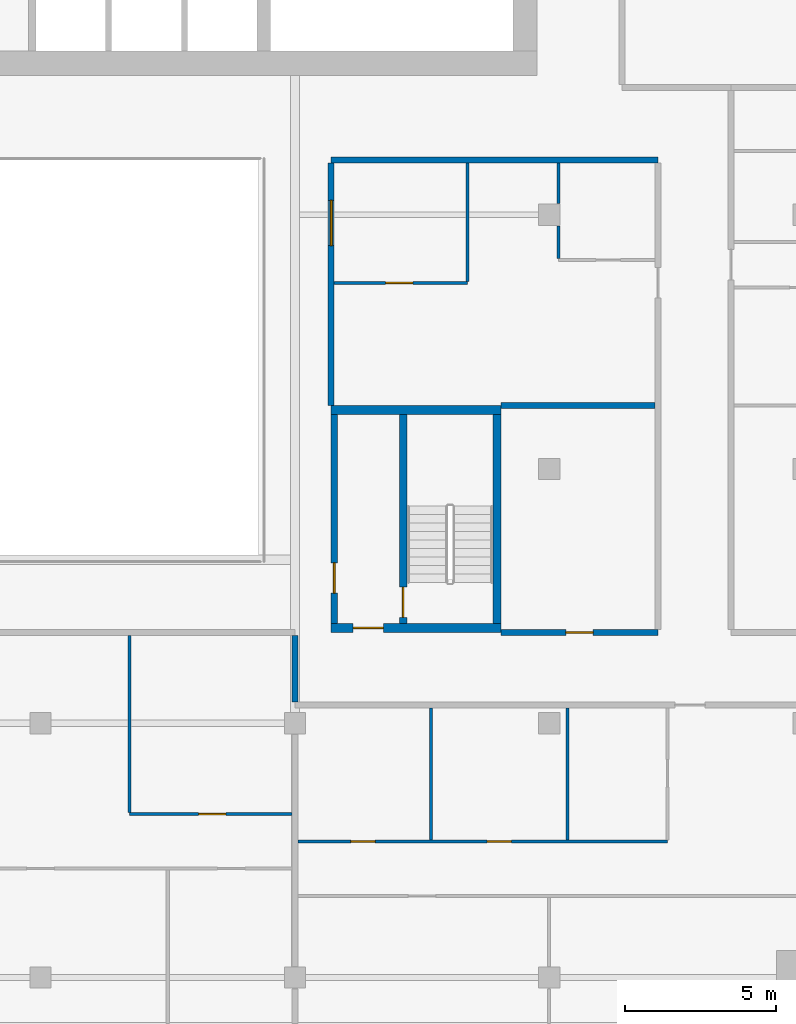
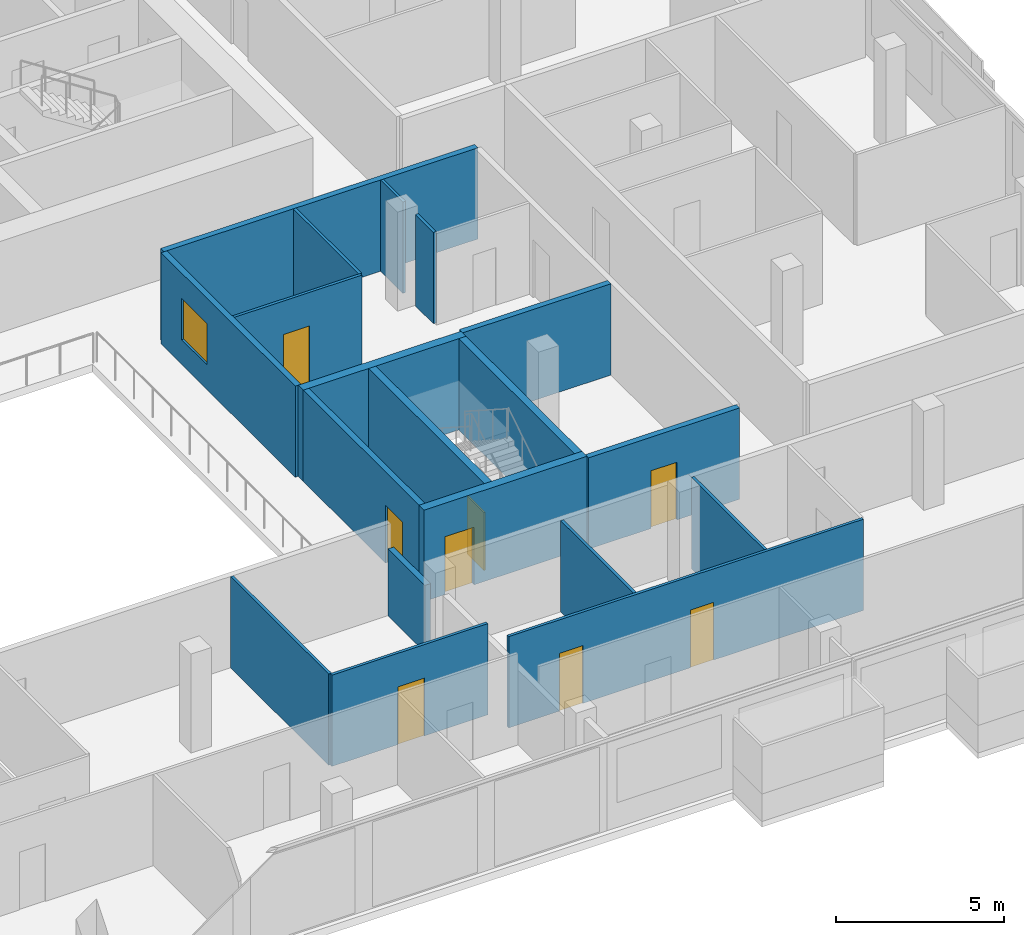
# One storey, part 20 of 30: 19 walls, 8 doors, 1 window, 9 openings.
"""IFC4 building model written with IfcOpenShell, lengths in metres."""

import ifcopenshell
import ifcopenshell.guid

model = None  # the IFC model being written
_history = None  # IfcOwnerHistory: only IFC2X3 demands one
_inside = {}  # id of a spatial element -> (the spatial element, [elements in it])
_under = {}  # id of a project, library or spatial element -> (it, [spatial elements below it])
_declared = {}  # id of a project -> (the project, [libraries it declares])
_typed = {}  # id of a type object -> (the type object, [elements of that type])
_made_of = {}  # id of a material, layer set ... -> (it, [elements and type objects made of it])


def new_model(schema):
    """Start an empty IFC model of exactly this schema.

    Asked for "IFC4X3", IfcOpenShell would pick the latest addendum, in which some entities
    have other attributes; the version numbers below select the first issue.
    IFC2X3 requires an IfcOwnerHistory on every rooted entity: one is made here for all.
    """
    global model, _history
    if schema == "IFC4X3":
        model = ifcopenshell.file(schema_version=(4, 3, 0, 0))
    else:
        model = ifcopenshell.file(schema=schema)
    _inside.clear()
    _under.clear()
    _declared.clear()
    _typed.clear()
    _made_of.clear()
    _history = None
    if model.schema == "IFC2X3":
        org = make("IfcOrganization", Name="unknown")
        user = make(
            "IfcPersonAndOrganization",
            ThePerson=make("IfcPerson", FamilyName="unknown"),
            TheOrganization=org,
        )
        app = make(
            "IfcApplication",
            ApplicationDeveloper=org,
            Version="unknown",
            ApplicationFullName="unknown",
            ApplicationIdentifier="unknown",
        )
        _history = make(
            "IfcOwnerHistory",
            OwningUser=user,
            OwningApplication=app,
            ChangeAction="ADDED",
            CreationDate=0,
        )
    return model


def make(cls, **values):
    """One entity of the class cls with the attributes given. An attribute that is None is left unset."""
    return model.create_entity(
        cls, **{name: value for name, value in values.items() if value is not None}
    )


def rooted(cls, **values):
    """An entity with a GlobalId (a new one), such as an element, a storey or a relation."""
    return make(cls, GlobalId=ifcopenshell.guid.new(), OwnerHistory=_history, **values)


def si_unit(unit_type, name, prefix=None):
    """IfcSIUnit, for example si_unit("LENGTHUNIT", "METRE", prefix="MILLI")."""
    return make("IfcSIUnit", UnitType=unit_type, Prefix=prefix, Name=name)


def assignment(units):
    """IfcUnitAssignment: the units of a project."""
    return None if units is None else make("IfcUnitAssignment", Units=units)


def point(xyz):
    """IfcCartesianPoint."""
    return None if xyz is None else make("IfcCartesianPoint", Coordinates=xyz)


def direction(xyz):
    """IfcDirection."""
    return None if xyz is None else make("IfcDirection", DirectionRatios=xyz)


def frame(location, z_axis=None, x_axis=None):
    """IfcAxis2Placement3D, a coordinate frame: its origin and axes. An axis left out is left unset."""
    return make(
        "IfcAxis2Placement3D",
        Location=point(location),
        Axis=direction(z_axis),
        RefDirection=direction(x_axis),
    )


def frame_2d(location, x_axis=None):
    """IfcAxis2Placement2D, a coordinate frame in the plane: its origin and x axis."""
    return make(
        "IfcAxis2Placement2D", Location=point(location), RefDirection=direction(x_axis)
    )


def origin():
    """The frame at (0, 0, 0) with its axes left unset."""
    return frame((0.0, 0.0, 0.0))


def place(relative_to, where):
    """IfcLocalPlacement: puts the frame where relative to a parent placement (None: the world)."""
    return make(
        "IfcLocalPlacement", PlacementRelTo=relative_to, RelativePlacement=where
    )


def context(
    kind, dimensions, precision=None, world=None, true_north=None, identifier=None
):
    """IfcGeometricRepresentationContext, for example the 3D "Model" context."""
    return make(
        "IfcGeometricRepresentationContext",
        ContextIdentifier=identifier,
        ContextType=kind,
        CoordinateSpaceDimension=dimensions,
        Precision=precision,
        WorldCoordinateSystem=world,
        TrueNorth=true_north,
    )


def subcontext(parent, identifier, kind, view, scale=None):
    """IfcGeometricRepresentationSubContext, for example "Body" below "Model"."""
    return make(
        "IfcGeometricRepresentationSubContext",
        ContextIdentifier=identifier,
        ContextType=kind,
        ParentContext=parent,
        TargetScale=scale,
        TargetView=view,
    )


def project(units=None, contexts=None):
    """IfcProject with its units and contexts."""
    return rooted(
        "IfcProject",
        Name="project",
        RepresentationContexts=contexts,
        UnitsInContext=assignment(units),
    )


def spatial(cls, under=None, at=None, **own):
    """A site, building, storey or space (cls), placed at a placement, below another one or the project."""
    s = rooted(cls, ObjectPlacement=at, **own)
    if under is not None:
        _under.setdefault(under.id(), (under, []))[1].append(s)
    return s


def profile(cls, at=None, kind="AREA", **sizes):
    """A parametric profile (cls). Its sizes go by their IFC names, for example OverallWidth=200.0."""
    return make(cls, ProfileType=kind, Position=at, **sizes)


def rectangle(**sizes):
    """IfcRectangleProfileDef."""
    return profile("IfcRectangleProfileDef", **sizes)


def extrude(swept, where, along, depth):
    """IfcExtrudedAreaSolid: the profile swept, set in the frame where, extruded along a direction by depth."""
    return make(
        "IfcExtrudedAreaSolid",
        SweptArea=swept,
        Position=where,
        ExtrudedDirection=direction(along),
        Depth=depth,
    )


def shape(context_of_items, identifier, shape_type, items):
    """IfcShapeRepresentation: the items that make up one representation, for example the "Body"."""
    return make(
        "IfcShapeRepresentation",
        ContextOfItems=context_of_items,
        RepresentationIdentifier=identifier,
        RepresentationType=shape_type,
        Items=items,
    )


def material(Name=None, Category=None):
    """IfcMaterial."""
    return make("IfcMaterial", Name=Name, Category=Category)


def layer(
    of_material, thickness, ventilated=None, Name=None, Category=None, Priority=None
):
    """IfcMaterialLayer: one layer of a wall or slab, of a material (None: an air gap)."""
    return make(
        "IfcMaterialLayer",
        Material=of_material,
        LayerThickness=thickness,
        IsVentilated=ventilated,
        Name=Name,
        Category=Category,
        Priority=Priority,
    )


def layer_set(layers, Name=None):
    """IfcMaterialLayerSet."""
    return make("IfcMaterialLayerSet", MaterialLayers=layers, LayerSetName=Name)


def made_of(thing, what):
    """Note that an element or type object is made of a material, layer set ...; save() writes the relation."""
    if what is not None:
        _made_of.setdefault(what.id(), (what, []))[1].append(thing)
    return thing


def type_object(cls, material=None, **own):
    """A type object (cls), such as IfcWallType, which elements share."""
    return made_of(rooted(cls, **own), material)


def element(
    cls,
    number,
    at=None,
    inside=None,
    cuts=None,
    type_object=None,
    material=None,
    context=None,
    identifier="Body",
    shape_type=None,
    held_by="IfcProductDefinitionShape",
    body=None,
    shapes=None,
    **own,
):
    """One element of the class cls, such as IfcWall. Its Tag is "e" and its number.

    at: its placement. inside: the storey or other place that contains it. cuts: it is an
    opening in that element (IfcRelVoidsElement). A single representation is given by context,
    identifier, shape_type and body (its items); several are given by shapes. held_by: the class
    of the entity that holds the representations. save() writes the other relations.
    """
    e = rooted(cls, Tag="e%d" % number, ObjectPlacement=at, **own)
    if body is not None:
        shapes = [shape(context, identifier, shape_type, body)]
    if shapes is not None:
        e.Representation = make(held_by, Representations=shapes)
    if inside is not None:
        _inside.setdefault(inside.id(), (inside, []))[1].append(e)
    if cuts is not None:
        rooted(
            "IfcRelVoidsElement", RelatingBuildingElement=cuts, RelatedOpeningElement=e
        )
    if type_object is not None:
        _typed.setdefault(type_object.id(), (type_object, []))[1].append(e)
    return made_of(e, material)


def fill(opening, filler):
    """IfcRelFillsElement: the door or window that sits in an opening."""
    return rooted(
        "IfcRelFillsElement",
        RelatingOpeningElement=opening,
        RelatedBuildingElement=filler,
    )


def aggregate(whole, parts):
    """IfcRelAggregates: a whole, such as a stair, and the parts it consists of."""
    return rooted("IfcRelAggregates", RelatingObject=whole, RelatedObjects=parts)


def save(model, path):
    """Write the relations noted so far, then the file.

    IfcRelAggregates (storeys below a building ...), IfcRelContainedInSpatialStructure (elements
    in a storey), IfcRelDefinesByType, IfcRelAssociatesMaterial and IfcRelDeclares: one each for
    every whole, place, type object, material and project.
    """
    for whole, parts in _under.values():
        aggregate(whole, parts)
    for where, things in _inside.values():
        rooted(
            "IfcRelContainedInSpatialStructure",
            RelatedElements=things,
            RelatingStructure=where,
        )
    for kind, things in _typed.values():
        rooted("IfcRelDefinesByType", RelatedObjects=things, RelatingType=kind)
    for what, things in _made_of.values():
        rooted("IfcRelAssociatesMaterial", RelatedObjects=things, RelatingMaterial=what)
    for by, libraries in _declared.values():
        rooted("IfcRelDeclares", RelatingContext=by, RelatedDefinitions=libraries)
    model.write(path)


model = new_model("IFC4")

# Units and contexts
model_context = context("Model", 3, precision=1e-05, world=origin(), true_north=direction((0.0, 1.0)))
body_context = subcontext(model_context, "Body", "Model", "MODEL_VIEW")
ifc_project = project(units=[si_unit("LENGTHUNIT", "METRE"), si_unit("AREAUNIT", "SQUARE_METRE"), si_unit("VOLUMEUNIT", "CUBIC_METRE"), si_unit("PLANEANGLEUNIT", "RADIAN"), si_unit("MASSUNIT", "GRAM", prefix="KILO")], contexts=[model_context])

# Site, building, storey
site_placement = place(None, origin())
site = spatial("IfcSite", under=ifc_project, at=site_placement, CompositionType="ELEMENT")
building_placement = place(site_placement, origin())
building = spatial("IfcBuilding", under=site, at=building_placement, Name="Saffron Gate Tower", CompositionType="ELEMENT")
storey_placement = place(building_placement, frame((0.0, 0.0, 165.449951171875)))
storey = spatial("IfcBuildingStorey", under=building, at=storey_placement, Name="L40", CompositionType="ELEMENT", Elevation=165.449951171875)

# Wall, opening, door
ifc_material_1 = material(Name="Gypsum board partition on steel studs", Category="steel")
ifc_layer_1 = layer(ifc_material_1, 0.199951171875)
ifc_layer_set_1 = layer_set([ifc_layer_1], Name="CW10 Core partition 200")
wall_type_1 = type_object("IfcWallType", Name="CW10 Core partition 200", PredefinedType="PARTITIONING", material=ifc_layer_set_1)
wall_1_placement = place(storey_placement, frame((101.5, 43.5, 0.0), z_axis=(0.0, 0.0, 1.0), x_axis=(0.0, 1.0, 0.0)))
wall_1 = element("IfcWall", 1, at=wall_1_placement, inside=storey, type_object=wall_type_1, Name="Wall CW10-L40-E-2", PredefinedType="PARTITIONING", context=body_context, shape_type="SweptSolid", body=[
    extrude(rectangle(XDim=6.89990234375, YDim=0.199951171875, at=frame_2d((3.449951171875, 0.0))), origin(), (0.0, 0.0, 1.0), 3.320068359375),
])
opening_1_placement = place(wall_1_placement, frame((1.0, 0.0, 0.0)))
opening_1 = element("IfcOpeningElement", 2, at=opening_1_placement, cuts=wall_1, Name="Opening CR-22", PredefinedType="OPENING", context=body_context, shape_type="SweptSolid", body=[
    extrude(rectangle(XDim=1.0, YDim=2.10009765625, at=frame_2d((0.5, 1.050048828125))), frame((0.0, 0.10986328125, 0.0), z_axis=(0.0, -1.0, 0.0), x_axis=(1.0, 0.0, 0.0)), (0.0, 0.0, 1.0), 0.219970703125),
])
ifc_material_2 = material(Name="Steel fire door set", Category="steel")
door_type_1 = type_object("IfcDoorType", Name="CD4 Lobby door 1000x2100 EI 120", OperationType="NOTDEFINED", PredefinedType="DOOR", material=ifc_material_2)
door_1_placement = place(opening_1_placement, origin())
door_1 = element("IfcDoor", 3, at=door_1_placement, inside=storey, type_object=door_type_1, Name="DOOR CR-22", OperationType="SINGLE_SWING_LEFT", OverallHeight=2.10009765625, OverallWidth=1.0, PredefinedType="DOOR", context=body_context, shape_type="SweptSolid", body=[
    extrude(rectangle(XDim=1.0, YDim=2.10009765625, at=frame_2d((0.5, 1.050048828125))), frame((0.0, 0.02490234375, 0.0), z_axis=(0.0, -1.0, 0.0), x_axis=(1.0, 0.0, 0.0)), (0.0, 0.0, 1.0), 0.050048828125),
])
fill(opening_1, door_1)

ifc_material_3 = material(Name="Concrete C60", Category="concrete")
ifc_layer_2 = layer(ifc_material_3, 0.25)
ifc_layer_set_2 = layer_set([ifc_layer_2], Name="CW14 RC core wall 250 C60")
wall_type_2 = type_object("IfcWallType", Name="CW14 RC core wall 250 C60", PredefinedType="SOLIDWALL", material=ifc_layer_set_2)
wall_2_placement = place(storey_placement, frame((103.77490234375, 43.5, 0.0), z_axis=(0.0, 0.0, 1.0), x_axis=(0.0, 1.0, 0.0)))
wall_2 = element("IfcWall", 4, at=wall_2_placement, inside=storey, type_object=wall_type_2, Name="Wall CW14-L40-E-3", PredefinedType="SOLIDWALL", context=body_context, shape_type="SweptSolid", body=[
    extrude(rectangle(XDim=6.89990234375, YDim=0.25, at=frame_2d((3.449951171875, 0.0))), origin(), (0.0, 0.0, 1.0), 3.320068359375),
])
opening_2_placement = place(wall_2_placement, frame((0.199951171875, 0.0, 0.0)))
opening_2 = element("IfcOpeningElement", 5, at=opening_2_placement, cuts=wall_2, Name="Opening CR-23", PredefinedType="OPENING", context=body_context, shape_type="SweptSolid", body=[
    extrude(rectangle(XDim=1.0, YDim=2.10009765625, at=frame_2d((0.5, 1.050048828125))), frame((0.0, 0.135009765625, 0.0), z_axis=(0.0, -1.0, 0.0), x_axis=(1.0, 0.0, 0.0)), (0.0, 0.0, 1.0), 0.27001953125),
])
door_type_2 = type_object("IfcDoorType", Name="CD5 Stair door 1000x2100 EI 120", OperationType="NOTDEFINED", PredefinedType="DOOR", material=ifc_material_2)
door_2_placement = place(opening_2_placement, origin())
door_2 = element("IfcDoor", 6, at=door_2_placement, inside=storey, type_object=door_type_2, Name="DOOR CR-23", OperationType="SINGLE_SWING_RIGHT", OverallHeight=2.10009765625, OverallWidth=1.0, PredefinedType="DOOR", context=body_context, shape_type="SweptSolid", body=[
    extrude(rectangle(XDim=1.0, YDim=2.10009765625, at=frame_2d((0.5, 1.050048828125))), frame((0.0, 0.02490234375, 0.0), z_axis=(0.0, -1.0, 0.0), x_axis=(1.0, 0.0, 0.0)), (0.0, 0.0, 1.0), 0.050048828125),
])
fill(opening_2, door_2)

# Wall
wall_3_placement = place(storey_placement, frame((106.875, 43.5, 0.0), z_axis=(0.0, 0.0, 1.0), x_axis=(0.0, 1.0, 0.0)))
element("IfcWall", 7, at=wall_3_placement, inside=storey, type_object=wall_type_2, Name="Wall CW14-L40-E-4", PredefinedType="SOLIDWALL", context=body_context, shape_type="SweptSolid", body=[
    extrude(rectangle(XDim=6.89990234375, YDim=0.25, at=frame_2d((3.449951171875, 0.0))), origin(), (0.0, 0.0, 1.0), 3.320068359375),
])

# Wall, opening, door
ifc_layer_3 = layer(ifc_material_3, 0.300048828125)
ifc_layer_set_3 = layer_set([ifc_layer_3], Name="CW17 RC core wall 300 C60")
wall_type_3 = type_object("IfcWallType", Name="CW17 RC core wall 300 C60", PredefinedType="SOLIDWALL", material=ifc_layer_set_3)
wall_4_placement = place(storey_placement, frame((101.39990234375, 43.35009765625, 0.0), z_axis=(0.0, 0.0, 1.0), x_axis=(1.0, 0.0, 0.0)))
wall_4 = element("IfcWall", 8, at=wall_4_placement, inside=storey, type_object=wall_type_3, Name="Wall CW17-L40-E-1", PredefinedType="SOLIDWALL", context=body_context, shape_type="SweptSolid", body=[
    extrude(rectangle(XDim=5.60009765625, YDim=0.300048828125, at=frame_2d((2.800048828125, 0.0))), origin(), (0.0, 0.0, 1.0), 3.320068359375),
])
opening_3_placement = place(wall_4_placement, frame((0.72509765625, 0.0, 0.0)))
opening_3 = element("IfcOpeningElement", 9, at=opening_3_placement, cuts=wall_4, Name="Opening CR-21", PredefinedType="OPENING", context=body_context, shape_type="SweptSolid", body=[
    extrude(rectangle(XDim=1.0, YDim=2.10009765625, at=frame_2d((0.5, 1.050048828125))), frame((0.0, 0.16015625, 0.0), z_axis=(0.0, -1.0, 0.0), x_axis=(1.0, 0.0, 0.0)), (0.0, 0.0, 1.0), 0.320068359375),
])
door_3_placement = place(opening_3_placement, origin())
door_3 = element("IfcDoor", 10, at=door_3_placement, inside=storey, type_object=door_type_1, Name="DOOR CR-21", OperationType="SINGLE_SWING_RIGHT", OverallHeight=2.10009765625, OverallWidth=1.0, PredefinedType="DOOR", context=body_context, shape_type="SweptSolid", body=[
    extrude(rectangle(XDim=1.0, YDim=2.10009765625, at=frame_2d((0.5, 1.050048828125))), frame((0.0, 0.02490234375, 0.0), z_axis=(0.0, -1.0, 0.0), x_axis=(1.0, 0.0, 0.0)), (0.0, 0.0, 1.0), 0.050048828125),
])
fill(opening_3, door_3)

# Wall
wall_5_placement = place(storey_placement, frame((101.39990234375, 50.550048828125, 0.0), z_axis=(0.0, 0.0, 1.0), x_axis=(1.0, 0.0, 0.0)))
element("IfcWall", 11, at=wall_5_placement, inside=storey, type_object=wall_type_3, Name="Wall CW17-L40-E-5", PredefinedType="SOLIDWALL", context=body_context, shape_type="SweptSolid", body=[
    extrude(rectangle(XDim=5.60009765625, YDim=0.300048828125, at=frame_2d((2.800048828125, 0.0))), origin(), (0.0, 0.0, 1.0), 3.320068359375),
])

# Wall, openings, doors
ifc_material_4 = material(Name="Plasterboard on steel studs", Category="steel")
ifc_layer_4 = layer(ifc_material_4, 0.10009765625)
ifc_layer_set_4 = layer_set([ifc_layer_4], Name="PW1 Partition 100")
wall_type_4 = type_object("IfcWallType", Name="PW1 Partition 100", PredefinedType="PARTITIONING", material=ifc_layer_set_4)
wall_6_placement = place(storey_placement, frame((100.300048828125, 36.300048828125, 0.0), z_axis=(0.0, 0.0, 1.0), x_axis=(1.0, 0.0, 0.0)))
wall_6 = element("IfcWall", 12, at=wall_6_placement, inside=storey, type_object=wall_type_4, Name="Partition C2-8", PredefinedType="PARTITIONING", context=body_context, shape_type="SweptSolid", body=[
    extrude(rectangle(XDim=12.199951171875, YDim=0.10009765625, at=frame_2d((6.10009765625, 0.0))), origin(), (0.0, 0.0, 1.0), 3.320068359375),
])
opening_4_placement = place(wall_6_placement, frame((1.75, 0.0, 0.0)))
opening_4 = element("IfcOpeningElement", 13, at=opening_4_placement, cuts=wall_6, Name="Opening C2-43", PredefinedType="OPENING", context=body_context, shape_type="SweptSolid", body=[
    extrude(rectangle(XDim=0.800048828125, YDim=2.10009765625, at=frame_2d((0.39990234375, 1.050048828125))), frame((0.0, 0.06005859375, 0.0), z_axis=(0.0, -1.0, 0.0), x_axis=(1.0, 0.0, 0.0)), (0.0, 0.0, 1.0), 0.1201171875),
])
opening_5_placement = place(wall_6_placement, frame((6.25, 0.0, 0.0)))
opening_5 = element("IfcOpeningElement", 14, at=opening_5_placement, cuts=wall_6, Name="Opening C2-44", PredefinedType="OPENING", context=body_context, shape_type="SweptSolid", body=[
    extrude(rectangle(XDim=0.800048828125, YDim=2.10009765625, at=frame_2d((0.39990234375, 1.050048828125))), frame((0.0, 0.06005859375, 0.0), z_axis=(0.0, -1.0, 0.0), x_axis=(1.0, 0.0, 0.0)), (0.0, 0.0, 1.0), 0.1201171875),
])
ifc_material_5 = material(Name="Timber door set", Category="wood")
door_type_3 = type_object("IfcDoorType", Name="RD2 Bathroom door 800x2100", OperationType="NOTDEFINED", PredefinedType="DOOR", material=ifc_material_5)
door_4_placement = place(opening_4_placement, origin())
door_4 = element("IfcDoor", 15, at=door_4_placement, inside=storey, type_object=door_type_3, Name="Door C2-43", OperationType="SINGLE_SWING_LEFT", OverallHeight=2.10009765625, OverallWidth=0.800048828125, PredefinedType="DOOR", context=body_context, shape_type="SweptSolid", body=[
    extrude(rectangle(XDim=0.800048828125, YDim=2.10009765625, at=frame_2d((0.39990234375, 1.050048828125))), frame((0.0, 0.02490234375, 0.0), z_axis=(0.0, -1.0, 0.0), x_axis=(1.0, 0.0, 0.0)), (0.0, 0.0, 1.0), 0.050048828125),
])
fill(opening_4, door_4)
door_5_placement = place(opening_5_placement, origin())
door_5 = element("IfcDoor", 16, at=door_5_placement, inside=storey, type_object=door_type_3, Name="Door C2-44", OperationType="SINGLE_SWING_RIGHT", OverallHeight=2.10009765625, OverallWidth=0.800048828125, PredefinedType="DOOR", context=body_context, shape_type="SweptSolid", body=[
    extrude(rectangle(XDim=0.800048828125, YDim=2.10009765625, at=frame_2d((0.39990234375, 1.050048828125))), frame((0.0, 0.02490234375, 0.0), z_axis=(0.0, -1.0, 0.0), x_axis=(1.0, 0.0, 0.0)), (0.0, 0.0, 1.0), 0.050048828125),
])
fill(opening_5, door_5)

# Wall, opening, door
wall_7_placement = place(storey_placement, frame((94.7333984375, 37.199951171875, 0.0), z_axis=(0.0, 0.0, 1.0), x_axis=(1.0, 0.0, 0.0)))
wall_7 = element("IfcWall", 17, at=wall_7_placement, inside=storey, type_object=wall_type_4, Name="Partition C2-11", PredefinedType="PARTITIONING", context=body_context, shape_type="SweptSolid", body=[
    extrude(rectangle(XDim=5.36669921875, YDim=0.10009765625, at=frame_2d((2.683349609375, 0.0))), origin(), (0.0, 0.0, 1.0), 3.320068359375),
])
opening_6_placement = place(wall_7_placement, frame((2.283447265625, 0.0, 0.0)))
opening_6 = element("IfcOpeningElement", 18, at=opening_6_placement, cuts=wall_7, Name="Opening C2-18", PredefinedType="OPENING", context=body_context, shape_type="SweptSolid", body=[
    extrude(rectangle(XDim=0.89990234375, YDim=2.10009765625, at=frame_2d((0.449951171875, 1.050048828125))), frame((0.0, 0.06005859375, 0.0), z_axis=(0.0, -1.0, 0.0), x_axis=(1.0, 0.0, 0.0)), (0.0, 0.0, 1.0), 0.1201171875),
])
door_type_4 = type_object("IfcDoorType", Name="RD1 Room door 900x2100", OperationType="NOTDEFINED", PredefinedType="DOOR", material=ifc_material_5)
door_6_placement = place(opening_6_placement, origin())
door_6 = element("IfcDoor", 19, at=door_6_placement, inside=storey, type_object=door_type_4, Name="Door C2-18", OperationType="SINGLE_SWING_RIGHT", OverallHeight=2.10009765625, OverallWidth=0.89990234375, PredefinedType="DOOR", context=body_context, shape_type="SweptSolid", body=[
    extrude(rectangle(XDim=0.89990234375, YDim=2.10009765625, at=frame_2d((0.449951171875, 1.050048828125))), frame((0.0, 0.02490234375, 0.0), z_axis=(0.0, -1.0, 0.0), x_axis=(1.0, 0.0, 0.0)), (0.0, 0.0, 1.0), 0.050048828125),
])
fill(opening_6, door_6)

wall_8_placement = place(storey_placement, frame((101.5, 54.75, 0.0), z_axis=(0.0, 0.0, 1.0), x_axis=(1.0, 0.0, 0.0)))
wall_8 = element("IfcWall", 20, at=wall_8_placement, inside=storey, type_object=wall_type_4, Name="Partition C2-33", PredefinedType="PARTITIONING", context=body_context, shape_type="SweptSolid", body=[
    extrude(rectangle(XDim=4.39990234375, YDim=0.10009765625, at=frame_2d((2.199951171875, 0.0))), origin(), (0.0, 0.0, 1.0), 3.320068359375),
])
opening_7_placement = place(wall_8_placement, frame((1.699951171875, 0.0, 0.0)))
opening_7 = element("IfcOpeningElement", 21, at=opening_7_placement, cuts=wall_8, Name="Opening C2-38", PredefinedType="OPENING", context=body_context, shape_type="SweptSolid", body=[
    extrude(rectangle(XDim=0.89990234375, YDim=2.10009765625, at=frame_2d((0.449951171875, 1.050048828125))), frame((0.0, 0.06005859375, 0.0), z_axis=(0.0, -1.0, 0.0), x_axis=(1.0, 0.0, 0.0)), (0.0, 0.0, 1.0), 0.1201171875),
])
door_7_placement = place(opening_7_placement, origin())
door_7 = element("IfcDoor", 22, at=door_7_placement, inside=storey, type_object=door_type_4, Name="Door C2-38", OperationType="SINGLE_SWING_LEFT", OverallHeight=2.10009765625, OverallWidth=0.89990234375, PredefinedType="DOOR", context=body_context, shape_type="SweptSolid", body=[
    extrude(rectangle(XDim=0.89990234375, YDim=2.10009765625, at=frame_2d((0.449951171875, 1.050048828125))), frame((0.0, 0.02490234375, 0.0), z_axis=(0.0, -1.0, 0.0), x_axis=(1.0, 0.0, 0.0)), (0.0, 0.0, 1.0), 0.050048828125),
])
fill(opening_7, door_7)

# Walls
wall_9_placement = place(storey_placement, frame((94.7333984375, 43.10009765625, 0.0), z_axis=(0.0, 0.0, 1.0), x_axis=(0.0, -1.0, 0.0)))
element("IfcWall", 23, at=wall_9_placement, inside=storey, type_object=wall_type_4, Name="Partition C2-91", PredefinedType="PARTITIONING", context=body_context, shape_type="SweptSolid", body=[
    extrude(rectangle(XDim=5.85009765625, YDim=0.10009765625, at=frame_2d((2.925048828125, 0.0))), origin(), (0.0, 0.0, 1.0), 3.320068359375),
])
wall_10_placement = place(storey_placement, frame((104.699951171875, 40.699951171875, 0.0), z_axis=(0.0, 0.0, 1.0), x_axis=(0.0, -1.0, 0.0)))
element("IfcWall", 24, at=wall_10_placement, inside=storey, type_object=wall_type_4, Name="Partition C2-97", PredefinedType="PARTITIONING", context=body_context, shape_type="SweptSolid", body=[
    extrude(rectangle(XDim=4.349853515625, YDim=0.10009765625, at=frame_2d((2.1748046875, 0.0))), origin(), (0.0, 0.0, 1.0), 3.320068359375),
])
wall_11_placement = place(storey_placement, frame((105.89990234375, 58.699951171875, 0.0), z_axis=(0.0, 0.0, 1.0), x_axis=(0.0, -1.0, 0.0)))
element("IfcWall", 25, at=wall_11_placement, inside=storey, type_object=wall_type_4, Name="Partition C2-98", PredefinedType="PARTITIONING", context=body_context, shape_type="SweptSolid", body=[
    extrude(rectangle(XDim=3.89990234375, YDim=0.10009765625, at=frame_2d((1.949951171875, 0.0))), origin(), (0.0, 0.0, 1.0), 3.320068359375),
])
wall_12_placement = place(storey_placement, frame((108.89990234375, 56.6298828125, 0.0), z_axis=(0.0, 0.0, 1.0), x_axis=(0.0, -1.0, 0.0)))
element("IfcWall", 26, at=wall_12_placement, inside=storey, type_object=wall_type_4, Name="Partition C2-101", PredefinedType="PARTITIONING", context=body_context, shape_type="SweptSolid", body=[
    extrude(rectangle(XDim=1.079833984375, YDim=0.10009765625, at=frame_2d((0.5400390625, 0.0))), origin(), (0.0, 0.0, 1.0), 3.320068359375),
])
wall_13_placement = place(storey_placement, frame((108.89990234375, 58.699951171875, 0.0), z_axis=(0.0, 0.0, 1.0), x_axis=(0.0, -1.0, 0.0)))
element("IfcWall", 27, at=wall_13_placement, inside=storey, type_object=wall_type_4, Name="Partition C2-102", PredefinedType="PARTITIONING", context=body_context, shape_type="SweptSolid", body=[
    extrude(rectangle(XDim=1.329833984375, YDim=0.10009765625, at=frame_2d((0.6650390625, 0.0))), origin(), (0.0, 0.0, 1.0), 3.320068359375),
])
wall_14_placement = place(storey_placement, frame((109.199951171875, 40.699951171875, 0.0), z_axis=(0.0, 0.0, 1.0), x_axis=(0.0, -1.0, 0.0)))
element("IfcWall", 28, at=wall_14_placement, inside=storey, type_object=wall_type_4, Name="Partition C2-103", PredefinedType="PARTITIONING", context=body_context, shape_type="SweptSolid", body=[
    extrude(rectangle(XDim=4.349853515625, YDim=0.10009765625, at=frame_2d((2.1748046875, 0.0))), origin(), (0.0, 0.0, 1.0), 3.320068359375),
])
ifc_material_6 = material(Name="Clay brick masonry, rendered", Category="masonry")
ifc_layer_5 = layer(ifc_material_6, 0.199951171875)
ifc_layer_set_5 = layer_set([ifc_layer_5], Name="PW2 Demising wall 200")
wall_type_5 = type_object("IfcWallType", Name="PW2 Demising wall 200", PredefinedType="PARTITIONING", material=ifc_layer_set_5)
wall_15_placement = place(storey_placement, frame((107.0, 50.699951171875, 0.0), z_axis=(0.0, 0.0, 1.0), x_axis=(1.0, 0.0, 0.0)))
element("IfcWall", 29, at=wall_15_placement, inside=storey, type_object=wall_type_5, Name="Wall C2-27", PredefinedType="PARTITIONING", context=body_context, shape_type="SweptSolid", body=[
    extrude(rectangle(XDim=5.10009765625, YDim=0.199951171875, at=frame_2d((2.550048828125, 0.0))), origin(), (0.0, 0.0, 1.0), 3.320068359375),
])

# Wall, opening, door
ifc_layer_6 = layer(ifc_material_6, 0.199951171875)
ifc_layer_set_6 = layer_set([ifc_layer_6], Name="PW3 Corridor wall 200")
wall_type_6 = type_object("IfcWallType", Name="PW3 Corridor wall 200", PredefinedType="PARTITIONING", material=ifc_layer_set_6)
wall_16_placement = place(storey_placement, frame((107.0, 43.199951171875, 0.0), z_axis=(0.0, 0.0, 1.0), x_axis=(1.0, 0.0, 0.0)))
wall_16 = element("IfcWall", 30, at=wall_16_placement, inside=storey, type_object=wall_type_6, Name="Wall C2-19", PredefinedType="PARTITIONING", context=body_context, shape_type="SweptSolid", body=[
    extrude(rectangle(XDim=5.199951171875, YDim=0.199951171875, at=frame_2d((2.60009765625, 0.0))), origin(), (0.0, 0.0, 1.0), 3.320068359375),
])
opening_8_placement = place(wall_16_placement, frame((2.14990234375, 0.0, 0.0)))
opening_8 = element("IfcOpeningElement", 31, at=opening_8_placement, cuts=wall_16, Name="Opening C2-54", PredefinedType="OPENING", context=body_context, shape_type="SweptSolid", body=[
    extrude(rectangle(XDim=0.89990234375, YDim=2.10009765625, at=frame_2d((0.449951171875, 1.050048828125))), frame((0.0, 0.10986328125, 0.0), z_axis=(0.0, -1.0, 0.0), x_axis=(1.0, 0.0, 0.0)), (0.0, 0.0, 1.0), 0.219970703125),
])
door_type_5 = type_object("IfcDoorType", Name="SD1 Service door 900x2100", OperationType="NOTDEFINED", PredefinedType="DOOR", material=ifc_material_2)
door_8_placement = place(opening_8_placement, origin())
door_8 = element("IfcDoor", 32, at=door_8_placement, inside=storey, type_object=door_type_5, Name="Door C2-54", OperationType="SINGLE_SWING_LEFT", OverallHeight=2.10009765625, OverallWidth=0.89990234375, PredefinedType="DOOR", context=body_context, shape_type="SweptSolid", body=[
    extrude(rectangle(XDim=0.89990234375, YDim=2.10009765625, at=frame_2d((0.449951171875, 1.050048828125))), frame((0.0, 0.02490234375, 0.0), z_axis=(0.0, -1.0, 0.0), x_axis=(1.0, 0.0, 0.0)), (0.0, 0.0, 1.0), 0.050048828125),
])
fill(opening_8, door_8)

# Walls
wall_17_placement = place(storey_placement, frame((101.39990234375, 58.800048828125, 0.0), z_axis=(0.0, 0.0, 1.0), x_axis=(1.0, 0.0, 0.0)))
element("IfcWall", 33, at=wall_17_placement, inside=storey, type_object=wall_type_6, Name="Wall C2-40", PredefinedType="PARTITIONING", context=body_context, shape_type="SweptSolid", body=[
    extrude(rectangle(XDim=10.800048828125, YDim=0.199951171875, at=frame_2d((5.39990234375, 0.0))), origin(), (0.0, 0.0, 1.0), 3.320068359375),
])
wall_18_placement = place(storey_placement, frame((100.199951171875, 43.10009765625, 0.0), z_axis=(0.0, 0.0, 1.0), x_axis=(0.0, -1.0, 0.0)))
element("IfcWall", 34, at=wall_18_placement, inside=storey, type_object=wall_type_6, Name="Wall C2-93", PredefinedType="PARTITIONING", context=body_context, shape_type="SweptSolid", body=[
    extrude(rectangle(XDim=2.2001953125, YDim=0.199951171875, at=frame_2d((1.10009765625, 0.0))), origin(), (0.0, 0.0, 1.0), 2.429931640625),
])

# Wall, opening, window
wall_19_placement = place(storey_placement, frame((101.39990234375, 58.699951171875, 0.0), z_axis=(0.0, 0.0, 1.0), x_axis=(0.0, -1.0, 0.0)))
wall_19 = element("IfcWall", 35, at=wall_19_placement, inside=storey, type_object=wall_type_6, Name="Wall C2-96", PredefinedType="PARTITIONING", context=body_context, shape_type="SweptSolid", body=[
    extrude(rectangle(XDim=8.0, YDim=0.199951171875, at=frame_2d((4.0, 0.0))), origin(), (0.0, 0.0, 1.0), 3.320068359375),
])
opening_9_placement = place(wall_19_placement, frame((1.22509765625, 0.0, 0.89990234375)))
opening_9 = element("IfcOpeningElement", 36, at=opening_9_placement, cuts=wall_19, Name="Opening GW1", PredefinedType="OPENING", context=body_context, shape_type="SweptSolid", body=[
    extrude(rectangle(XDim=1.5, YDim=1.5, at=frame_2d((0.75, 0.75))), frame((0.0, 0.10986328125, 0.0), z_axis=(0.0, -1.0, 0.0), x_axis=(1.0, 0.0, 0.0)), (0.0, 0.0, 1.0), 0.219970703125),
])
ifc_material_7 = material(Name="Fire-resisting laminated glass in steel frame", Category="steel")
ifc_layer_7 = layer(ifc_material_7, 0.06005859375)
ifc_layer_set_7 = layer_set([ifc_layer_7], Name="GW1 Gallery window 1500x1500")
window_type = type_object("IfcWindowType", Name="GW1 Gallery window 1500x1500", PartitioningType="SINGLE_PANEL", PredefinedType="WINDOW", material=ifc_layer_set_7)
window_placement = place(opening_9_placement, origin())
window = element("IfcWindow", 37, at=window_placement, inside=storey, type_object=window_type, Name="GW1 window C2-J-B1", OverallHeight=1.5, OverallWidth=1.5, PartitioningType="SINGLE_PANEL", PredefinedType="WINDOW", context=body_context, shape_type="SweptSolid", body=[
    extrude(rectangle(XDim=1.5, YDim=1.5, at=frame_2d((0.75, 0.75))), frame((0.0, 0.030029296875, 0.0), z_axis=(0.0, -1.0, 0.0), x_axis=(1.0, 0.0, 0.0)), (0.0, 0.0, 1.0), 0.06005859375),
])
fill(opening_9, window)

save(model, "model.ifc")
